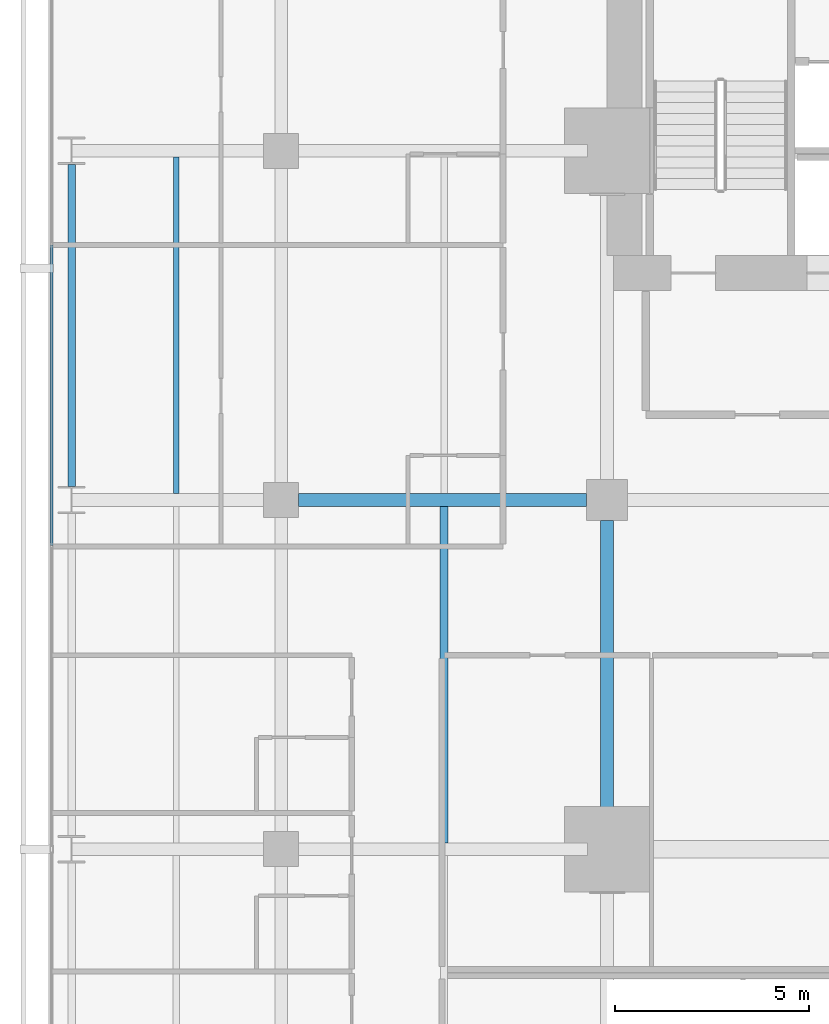
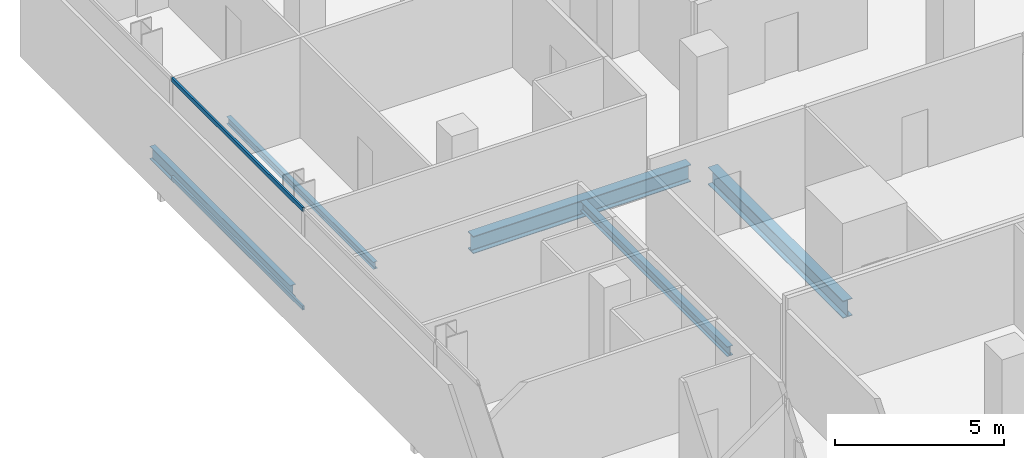
# One storey, part 22 of 40: 5 beams, 2 members, 1 element without a shape of its own.
"""IFC4 building model written with IfcOpenShell, lengths in metres."""

import ifcopenshell
import ifcopenshell.guid

model = None  # the IFC model being written
_history = None  # IfcOwnerHistory: only IFC2X3 demands one
_inside = {}  # id of a spatial element -> (the spatial element, [elements in it])
_under = {}  # id of a project, library or spatial element -> (it, [spatial elements below it])
_declared = {}  # id of a project -> (the project, [libraries it declares])
_typed = {}  # id of a type object -> (the type object, [elements of that type])
_made_of = {}  # id of a material, layer set ... -> (it, [elements and type objects made of it])


def new_model(schema):
    """Start an empty IFC model of exactly this schema.

    Asked for "IFC4X3", IfcOpenShell would pick the latest addendum, in which some entities
    have other attributes; the version numbers below select the first issue.
    IFC2X3 requires an IfcOwnerHistory on every rooted entity: one is made here for all.
    """
    global model, _history
    if schema == "IFC4X3":
        model = ifcopenshell.file(schema_version=(4, 3, 0, 0))
    else:
        model = ifcopenshell.file(schema=schema)
    _inside.clear()
    _under.clear()
    _declared.clear()
    _typed.clear()
    _made_of.clear()
    _history = None
    if model.schema == "IFC2X3":
        org = make("IfcOrganization", Name="unknown")
        user = make(
            "IfcPersonAndOrganization",
            ThePerson=make("IfcPerson", FamilyName="unknown"),
            TheOrganization=org,
        )
        app = make(
            "IfcApplication",
            ApplicationDeveloper=org,
            Version="unknown",
            ApplicationFullName="unknown",
            ApplicationIdentifier="unknown",
        )
        _history = make(
            "IfcOwnerHistory",
            OwningUser=user,
            OwningApplication=app,
            ChangeAction="ADDED",
            CreationDate=0,
        )
    return model


def make(cls, **values):
    """One entity of the class cls with the attributes given. An attribute that is None is left unset."""
    return model.create_entity(
        cls, **{name: value for name, value in values.items() if value is not None}
    )


def rooted(cls, **values):
    """An entity with a GlobalId (a new one), such as an element, a storey or a relation."""
    return make(cls, GlobalId=ifcopenshell.guid.new(), OwnerHistory=_history, **values)


def si_unit(unit_type, name, prefix=None):
    """IfcSIUnit, for example si_unit("LENGTHUNIT", "METRE", prefix="MILLI")."""
    return make("IfcSIUnit", UnitType=unit_type, Prefix=prefix, Name=name)


def assignment(units):
    """IfcUnitAssignment: the units of a project."""
    return None if units is None else make("IfcUnitAssignment", Units=units)


def point(xyz):
    """IfcCartesianPoint."""
    return None if xyz is None else make("IfcCartesianPoint", Coordinates=xyz)


def direction(xyz):
    """IfcDirection."""
    return None if xyz is None else make("IfcDirection", DirectionRatios=xyz)


def frame(location, z_axis=None, x_axis=None):
    """IfcAxis2Placement3D, a coordinate frame: its origin and axes. An axis left out is left unset."""
    return make(
        "IfcAxis2Placement3D",
        Location=point(location),
        Axis=direction(z_axis),
        RefDirection=direction(x_axis),
    )


def frame_2d(location, x_axis=None):
    """IfcAxis2Placement2D, a coordinate frame in the plane: its origin and x axis."""
    return make(
        "IfcAxis2Placement2D", Location=point(location), RefDirection=direction(x_axis)
    )


def origin():
    """The frame at (0, 0, 0) with its axes left unset."""
    return frame((0.0, 0.0, 0.0))


def origin_2d():
    """The frame at (0, 0) in the plane with its x axis left unset."""
    return frame_2d((0.0, 0.0))


def place(relative_to, where):
    """IfcLocalPlacement: puts the frame where relative to a parent placement (None: the world)."""
    return make(
        "IfcLocalPlacement", PlacementRelTo=relative_to, RelativePlacement=where
    )


def context(
    kind, dimensions, precision=None, world=None, true_north=None, identifier=None
):
    """IfcGeometricRepresentationContext, for example the 3D "Model" context."""
    return make(
        "IfcGeometricRepresentationContext",
        ContextIdentifier=identifier,
        ContextType=kind,
        CoordinateSpaceDimension=dimensions,
        Precision=precision,
        WorldCoordinateSystem=world,
        TrueNorth=true_north,
    )


def subcontext(parent, identifier, kind, view, scale=None):
    """IfcGeometricRepresentationSubContext, for example "Body" below "Model"."""
    return make(
        "IfcGeometricRepresentationSubContext",
        ContextIdentifier=identifier,
        ContextType=kind,
        ParentContext=parent,
        TargetScale=scale,
        TargetView=view,
    )


def project(units=None, contexts=None):
    """IfcProject with its units and contexts."""
    return rooted(
        "IfcProject",
        Name="project",
        RepresentationContexts=contexts,
        UnitsInContext=assignment(units),
    )


def spatial(cls, under=None, at=None, **own):
    """A site, building, storey or space (cls), placed at a placement, below another one or the project."""
    s = rooted(cls, ObjectPlacement=at, **own)
    if under is not None:
        _under.setdefault(under.id(), (under, []))[1].append(s)
    return s


def profile(cls, at=None, kind="AREA", **sizes):
    """A parametric profile (cls). Its sizes go by their IFC names, for example OverallWidth=200.0."""
    return make(cls, ProfileType=kind, Position=at, **sizes)


def hollow_rectangle(**sizes):
    """IfcRectangleHollowProfileDef."""
    return profile("IfcRectangleHollowProfileDef", **sizes)


def i_section(**sizes):
    """IfcIShapeProfileDef."""
    return profile("IfcIShapeProfileDef", **sizes)


def extrude(swept, where, along, depth):
    """IfcExtrudedAreaSolid: the profile swept, set in the frame where, extruded along a direction by depth."""
    return make(
        "IfcExtrudedAreaSolid",
        SweptArea=swept,
        Position=where,
        ExtrudedDirection=direction(along),
        Depth=depth,
    )


def shape(context_of_items, identifier, shape_type, items):
    """IfcShapeRepresentation: the items that make up one representation, for example the "Body"."""
    return make(
        "IfcShapeRepresentation",
        ContextOfItems=context_of_items,
        RepresentationIdentifier=identifier,
        RepresentationType=shape_type,
        Items=items,
    )


def material(Name=None, Category=None):
    """IfcMaterial."""
    return make("IfcMaterial", Name=Name, Category=Category)


def layer(
    of_material, thickness, ventilated=None, Name=None, Category=None, Priority=None
):
    """IfcMaterialLayer: one layer of a wall or slab, of a material (None: an air gap)."""
    return make(
        "IfcMaterialLayer",
        Material=of_material,
        LayerThickness=thickness,
        IsVentilated=ventilated,
        Name=Name,
        Category=Category,
        Priority=Priority,
    )


def layer_set(layers, Name=None):
    """IfcMaterialLayerSet."""
    return make("IfcMaterialLayerSet", MaterialLayers=layers, LayerSetName=Name)


def material_profile(
    of_material, cross_section, Name=None, Category=None, Priority=None
):
    """IfcMaterialProfile: a cross section and its material."""
    return make(
        "IfcMaterialProfile",
        Name=Name,
        Material=of_material,
        Profile=cross_section,
        Priority=Priority,
        Category=Category,
    )


def profile_set(profiles, Name=None, composite=None):
    """IfcMaterialProfileSet."""
    return make(
        "IfcMaterialProfileSet",
        Name=Name,
        MaterialProfiles=profiles,
        CompositeProfile=composite,
    )


def made_of(thing, what):
    """Note that an element or type object is made of a material, layer set ...; save() writes the relation."""
    if what is not None:
        _made_of.setdefault(what.id(), (what, []))[1].append(thing)
    return thing


def type_object(cls, material=None, **own):
    """A type object (cls), such as IfcWallType, which elements share."""
    return made_of(rooted(cls, **own), material)


def element(
    cls,
    number,
    at=None,
    inside=None,
    cuts=None,
    type_object=None,
    material=None,
    context=None,
    identifier="Body",
    shape_type=None,
    held_by="IfcProductDefinitionShape",
    body=None,
    shapes=None,
    **own,
):
    """One element of the class cls, such as IfcWall. Its Tag is "e" and its number.

    at: its placement. inside: the storey or other place that contains it. cuts: it is an
    opening in that element (IfcRelVoidsElement). A single representation is given by context,
    identifier, shape_type and body (its items); several are given by shapes. held_by: the class
    of the entity that holds the representations. save() writes the other relations.
    """
    e = rooted(cls, Tag="e%d" % number, ObjectPlacement=at, **own)
    if body is not None:
        shapes = [shape(context, identifier, shape_type, body)]
    if shapes is not None:
        e.Representation = make(held_by, Representations=shapes)
    if inside is not None:
        _inside.setdefault(inside.id(), (inside, []))[1].append(e)
    if cuts is not None:
        rooted(
            "IfcRelVoidsElement", RelatingBuildingElement=cuts, RelatedOpeningElement=e
        )
    if type_object is not None:
        _typed.setdefault(type_object.id(), (type_object, []))[1].append(e)
    return made_of(e, material)


def aggregate(whole, parts):
    """IfcRelAggregates: a whole, such as a stair, and the parts it consists of."""
    return rooted("IfcRelAggregates", RelatingObject=whole, RelatedObjects=parts)


def save(model, path):
    """Write the relations noted so far, then the file.

    IfcRelAggregates (storeys below a building ...), IfcRelContainedInSpatialStructure (elements
    in a storey), IfcRelDefinesByType, IfcRelAssociatesMaterial and IfcRelDeclares: one each for
    every whole, place, type object, material and project.
    """
    for whole, parts in _under.values():
        aggregate(whole, parts)
    for where, things in _inside.values():
        rooted(
            "IfcRelContainedInSpatialStructure",
            RelatedElements=things,
            RelatingStructure=where,
        )
    for kind, things in _typed.values():
        rooted("IfcRelDefinesByType", RelatedObjects=things, RelatingType=kind)
    for what, things in _made_of.values():
        rooted("IfcRelAssociatesMaterial", RelatedObjects=things, RelatingMaterial=what)
    for by, libraries in _declared.values():
        rooted("IfcRelDeclares", RelatingContext=by, RelatedDefinitions=libraries)
    model.write(path)


model = new_model("IFC4")

# Units and contexts
model_context = context("Model", 3, precision=1e-05, world=origin(), true_north=direction((0.0, 1.0)))
body_context = subcontext(model_context, "Body", "Model", "MODEL_VIEW")
ifc_project = project(units=[si_unit("LENGTHUNIT", "METRE"), si_unit("AREAUNIT", "SQUARE_METRE"), si_unit("VOLUMEUNIT", "CUBIC_METRE"), si_unit("PLANEANGLEUNIT", "RADIAN"), si_unit("MASSUNIT", "GRAM", prefix="KILO")], contexts=[model_context])

# Site, building, storey
site_placement = place(None, origin())
site = spatial("IfcSite", under=ifc_project, at=site_placement, CompositionType="ELEMENT")
building_placement = place(site_placement, origin())
building = spatial("IfcBuilding", under=site, at=building_placement, Name="Maruvema Waterfront Hotel and Observation Tower", CompositionType="ELEMENT")
storey_placement = place(building_placement, frame((0.0, 0.0, 57.75)))
storey = spatial("IfcBuildingStorey", under=building, at=storey_placement, Name="L13", CompositionType="ELEMENT", Elevation=57.75)

# Curtain wall, members
ifc_material_1 = material(Name="Anodised bronze aluminium and solar-control low-E IGU", Category="aluminium")
ifc_layer = layer(ifc_material_1, 0.159912109375, Name="Zone 1 Bronze Inner Thermal Curtain Wall System CW-02")
ifc_layer_set = layer_set([ifc_layer], Name="Anodised bronze aluminium and solar-control low-E IGU")
curtain_wall_type = type_object("IfcCurtainWallType", Name="Zone 1 Bronze Inner Thermal Curtain Wall System CW-02", PredefinedType="USERDEFINED", material=ifc_layer_set)
curtain_wall_placement = place(storey_placement, origin())
curtain_wall = element("IfcCurtainWall", 1, at=curtain_wall_placement, inside=storey, type_object=curtain_wall_type, Name="L13 Curtain Wall CW-L13-W", ObjectType="UNITISED CURTAIN WALL", PredefinedType="USERDEFINED")
ifc_material_2 = material(Name="Anodised architectural bronze aluminium", Category="aluminium")
ifc_material_profile_1 = material_profile(ifc_material_2, hollow_rectangle(XDim=0.070068359375, YDim=0.14990234375, WallThickness=0.00390625, at=origin_2d()), Name="ALU-T70x150")
ifc_profile_set_1 = profile_set([ifc_material_profile_1], Name="Anodised architectural bronze aluminium")
member_type = type_object("IfcMemberType", Name="Curtain Wall Horizontal Transom ALU-T70x150", PredefinedType="USERDEFINED", material=ifc_profile_set_1)
member_1_placement = place(storey_placement, frame((10.8798828125, 42.570068359375, 0.030029296875), z_axis=(0.0, -1.0, 0.0), x_axis=(1.0, 0.0, 0.0)))
member_1 = element("IfcMember", 2, at=member_1_placement, type_object=member_type, Name="CW-02 transom 2.1", ObjectType="TRANSOM", PredefinedType="USERDEFINED", context=body_context, shape_type="SweptSolid", body=[
    extrude(hollow_rectangle(XDim=0.070068359375, YDim=0.14990234375, WallThickness=0.00390625, at=origin_2d()), origin(), (0.0, 0.0, 1.0), 7.739990234375),
])
member_2_placement = place(storey_placement, frame((10.8798828125, 42.570068359375, 3.580078125), z_axis=(0.0, -1.0, 0.0), x_axis=(1.0, 0.0, 0.0)))
member_2 = element("IfcMember", 3, at=member_2_placement, type_object=member_type, Name="CW-02 transom 2.2", ObjectType="TRANSOM", PredefinedType="USERDEFINED", context=body_context, shape_type="SweptSolid", body=[
    extrude(hollow_rectangle(XDim=0.070068359375, YDim=0.14990234375, WallThickness=0.00390625, at=origin_2d()), origin(), (0.0, 0.0, 1.0), 7.739990234375),
])
aggregate(curtain_wall, [member_1, member_2])

# Beams
ifc_material_3 = material(Name="Steel ASTM A572 Grade 50", Category="steel")
ifc_material_profile_2 = material_profile(ifc_material_3, i_section(OverallWidth=0.18994140625, OverallDepth=0.45703125, WebThickness=0.009033203125, FlangeThickness=0.014404296875, FilletRadius=0.014892578125, at=origin_2d()), Name="W460x74.0")
ifc_profile_set_2 = profile_set([ifc_material_profile_2], Name="Steel ASTM A572 Grade 50")
beam_type_1 = type_object("IfcBeamType", Name="Perimeter Spandrel Beam W460x74.0", PredefinedType="SPANDREL", material=ifc_profile_set_2)
beam_1_placement = place(storey_placement, frame((11.39990234375, 36.35009765625, -0.468505859375), z_axis=(0.0, 1.0, 0.0), x_axis=(-1.0, 0.0, 0.0)))
element("IfcBeam", 4, at=beam_1_placement, inside=storey, type_object=beam_type_1, Name="L13 Floor Girder NS-04", PredefinedType="SPANDREL", context=body_context, shape_type="SweptSolid", body=[
    extrude(i_section(OverallWidth=0.18994140625, OverallDepth=0.45703125, WebThickness=0.009033203125, FlangeThickness=0.014404296875, FilletRadius=0.014892578125, at=origin_2d()), origin(), (0.0, 0.0, 1.0), 8.2998046875),
])
ifc_material_4 = material(Name="Steel ASTM A572 Grade 50", Category="steel")
ifc_material_profile_3 = material_profile(ifc_material_4, i_section(OverallWidth=0.326904296875, OverallDepth=0.6220703125, WebThickness=0.015380859375, FlangeThickness=0.0244140625, FilletRadius=0.01806640625, at=origin_2d()), Name="W610x195.0")
ifc_profile_set_3 = profile_set([ifc_material_profile_3], Name="Steel ASTM A572 Grade 50")
beam_type_2 = type_object("IfcBeamType", Name="Primary Floor Girder W610x195.0", PredefinedType="BEAM", material=ifc_profile_set_3)
beam_2_placement = place(storey_placement, frame((17.25, 36.0, -0.551025390625), z_axis=(1.0, 0.0, 0.0), x_axis=(0.0, 1.0, 0.0)))
element("IfcBeam", 5, at=beam_2_placement, inside=storey, type_object=beam_type_2, Name="L13 Floor Girder EW-26", PredefinedType="BEAM", context=body_context, shape_type="SweptSolid", body=[
    extrude(i_section(OverallWidth=0.326904296875, OverallDepth=0.6220703125, WebThickness=0.015380859375, FlangeThickness=0.0244140625, FilletRadius=0.01806640625, at=origin_2d()), origin(), (0.0, 0.0, 1.0), 7.425048828125),
])
beam_3_placement = place(storey_placement, frame((25.199951171875, 27.5, -0.551025390625), z_axis=(0.0, 1.0, 0.0), x_axis=(-1.0, 0.0, 0.0)))
element("IfcBeam", 6, at=beam_3_placement, inside=storey, type_object=beam_type_2, Name="L13 Floor Girder NS-14", PredefinedType="BEAM", context=body_context, shape_type="SweptSolid", body=[
    extrude(i_section(OverallWidth=0.326904296875, OverallDepth=0.6220703125, WebThickness=0.015380859375, FlangeThickness=0.0244140625, FilletRadius=0.01806640625, at=origin_2d()), origin(), (0.0, 0.0, 1.0), 7.97509765625),
])
ifc_material_5 = material(Name="Steel ASTM A572 Grade 50", Category="steel")
ifc_material_profile_4 = material_profile(ifc_material_5, i_section(OverallWidth=0.14599609375, OverallDepth=0.258056640625, WebThickness=0.006103515625, FlangeThickness=0.009033203125, FilletRadius=0.012939453125, at=origin_2d()), Name="W250x32.7")
ifc_profile_set_4 = profile_set([ifc_material_profile_4], Name="Steel ASTM A572 Grade 50")
beam_type_3 = type_object("IfcBeamType", Name="Secondary Floor Joist W250x32.7", PredefinedType="JOIST", material=ifc_profile_set_4)
beam_4_placement = place(storey_placement, frame((14.10009765625, 36.16357421875, -0.368896484375), z_axis=(0.0, 1.0, 0.0), x_axis=(-1.0, 0.0, 0.0)))
element("IfcBeam", 7, at=beam_4_placement, inside=storey, type_object=beam_type_3, Name="L13 Secondary Floor Joist JS-04", PredefinedType="JOIST", context=body_context, shape_type="SweptSolid", body=[
    extrude(i_section(OverallWidth=0.14599609375, OverallDepth=0.258056640625, WebThickness=0.006103515625, FlangeThickness=0.009033203125, FilletRadius=0.012939453125, at=origin_2d()), origin(), (0.0, 0.0, 1.0), 8.6728515625),
])
ifc_material_6 = material(Name="Steel ASTM A572 Grade 50", Category="steel")
ifc_material_profile_5 = material_profile(ifc_material_6, i_section(OverallWidth=0.202880859375, OverallDepth=0.346923828125, WebThickness=0.0078125, FlangeThickness=0.013427734375, FilletRadius=0.014892578125, at=origin_2d()), Name="W360x64.0")
ifc_profile_set_5 = profile_set([ifc_material_profile_5], Name="Steel ASTM A572 Grade 50")
beam_type_4 = type_object("IfcBeamType", Name="Secondary Floor Joist W360x64.0", PredefinedType="JOIST", material=ifc_profile_set_5)
beam_5_placement = place(storey_placement, frame((21.0, 27.16357421875, -0.41357421875), z_axis=(0.0, 1.0, 0.0), x_axis=(-1.0, 0.0, 0.0)))
element("IfcBeam", 8, at=beam_5_placement, inside=storey, type_object=beam_type_4, Name="L13 Secondary Floor Joist JS-08", PredefinedType="JOIST", context=body_context, shape_type="SweptSolid", body=[
    extrude(i_section(OverallWidth=0.202880859375, OverallDepth=0.346923828125, WebThickness=0.0078125, FlangeThickness=0.013427734375, FilletRadius=0.014892578125, at=origin_2d()), origin(), (0.0, 0.0, 1.0), 8.6728515625),
])

save(model, "model.ifc")
